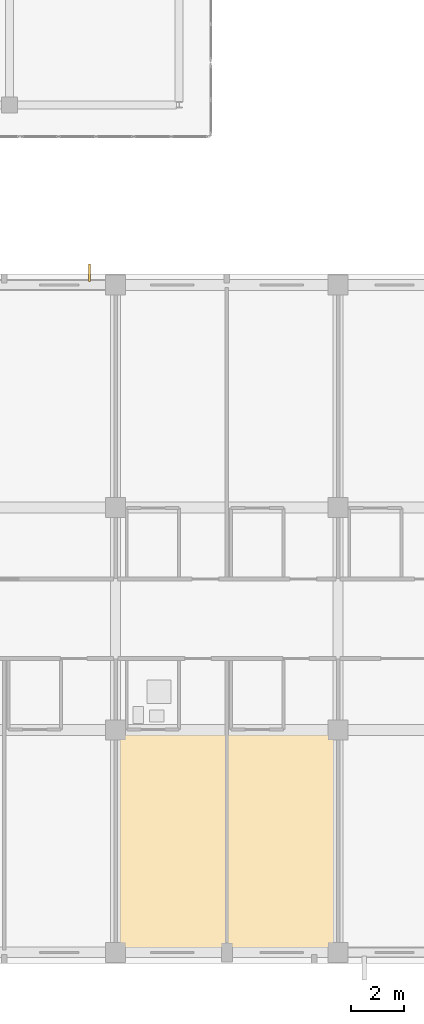
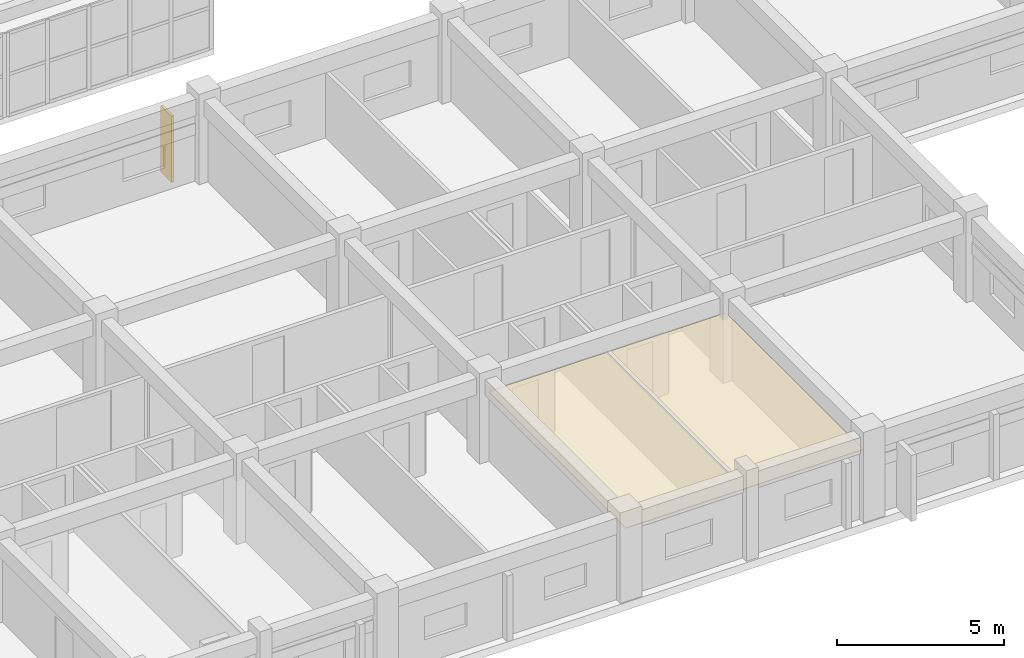
# One storey, part 193 of 200: 1 covering, 1 shading device.
"""IFC4 building model written with IfcOpenShell, lengths in metres."""

from ifc_helpers import new_model, si_unit, direction, frame, origin, origin_2d, place, context, subcontext, project, spatial, polyline, rectangle, outline, extrude, material, layer, layer_set, type_object, element, save


model = new_model("IFC4")

# Units and contexts
model_context = context("Model", 3, precision=1e-05, world=origin(), true_north=direction((0.0, 1.0)))
body_context = subcontext(model_context, "Body", "Model", "MODEL_VIEW")
ifc_project = project(units=[si_unit("LENGTHUNIT", "METRE"), si_unit("AREAUNIT", "SQUARE_METRE"), si_unit("VOLUMEUNIT", "CUBIC_METRE"), si_unit("PLANEANGLEUNIT", "RADIAN"), si_unit("MASSUNIT", "GRAM", prefix="KILO")], contexts=[model_context])

# Site, building, storey
site_placement = place(None, origin())
site = spatial("IfcSite", under=ifc_project, at=site_placement, CompositionType="ELEMENT")
building_placement = place(site_placement, origin())
building = spatial("IfcBuilding", under=site, at=building_placement, Name="Trelvath General Hospital", CompositionType="ELEMENT")
storey_placement = place(building_placement, frame((0.0, 0.0, 4.800048828125)))
storey = spatial("IfcBuildingStorey", under=building, at=storey_placement, Name="L01", CompositionType="ELEMENT", Elevation=4.800048828125)

# Covering
ifc_material_1 = material(Name="Hygienic acoustic ceiling tile")
ifc_layer = layer(ifc_material_1, 0.02490234375)
ifc_layer_set = layer_set([ifc_layer], Name="Hygienic acoustic ceiling tile")
covering_type = type_object("IfcCoveringType", Name="Ceiling ClinicalAcoustic", PredefinedType="CEILING", material=ifc_layer_set)
covering_placement = place(storey_placement, frame((0.0, 0.0, 2.280029296875)))
element("IfcCovering", 1, at=covering_placement, inside=storey, type_object=covering_type, Name="Clinical Acoustic Ceiling L01-19", PredefinedType="CEILING", context=body_context, shape_type="SweptSolid", body=[
    extrude(outline(polyline([(117.699951171875, 0.10009765625), (125.89990234375, 0.10009765625), (125.89990234375, 8.320068359375), (117.699951171875, 8.320068359375), (117.699951171875, 0.10009765625)])), origin(), (0.0, 0.0, 1.0), 0.02490234375),
])

# Shading device
ifc_material_2 = material(Name="Anodised aluminium", Category="aluminium")
shading_device_type = type_object("IfcShadingDeviceType", Name="SolarScreen PerforatedAlu", PredefinedType="JALOUSIE", material=ifc_material_2)
shading_device_placement = place(storey_placement, frame((116.6171875, 25.6650390625, 0.0), z_axis=(0.0, 0.0, 1.0), x_axis=(0.0, 1.0, 0.0)))
element("IfcShadingDevice", 2, at=shading_device_placement, inside=storey, type_object=shading_device_type, Name="Solar Brise-Soleil Screen L01-25", PredefinedType="JALOUSIE", context=body_context, shape_type="SweptSolid", body=[
    extrude(rectangle(XDim=0.64990234375, YDim=0.080078125, at=origin_2d()), origin(), (0.0, 0.0, 1.0), 2.419921875),
])

save(model, "model.ifc")
